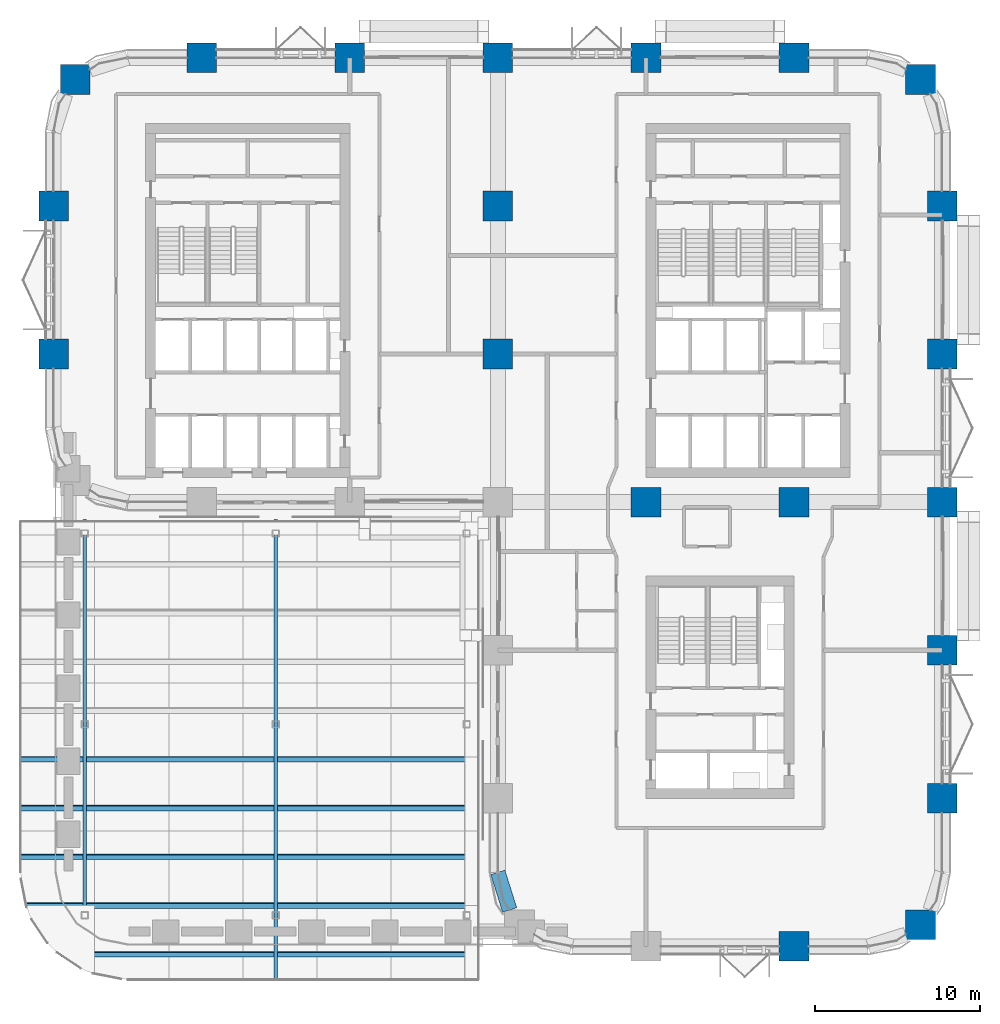
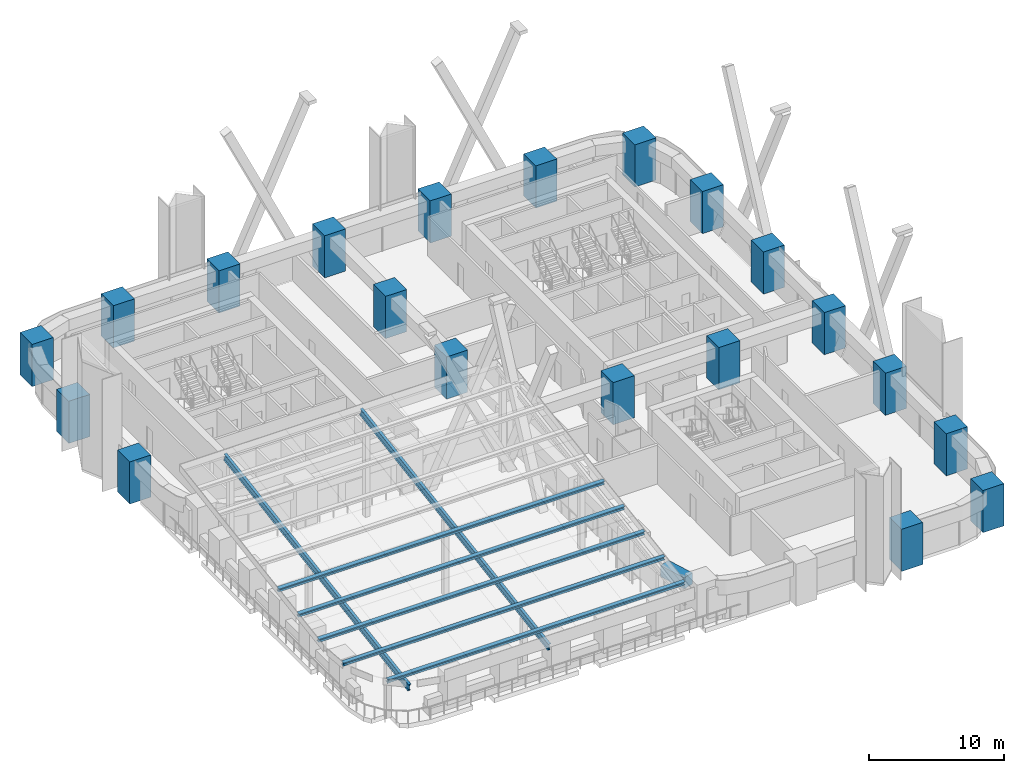
# One storey, part 2 of 22: 20 columns, 7 members, 1 beam.
"""IFC4 building model written with IfcOpenShell, lengths in metres."""

from ifc_helpers import new_model, si_unit, direction, frame, origin, origin_2d, place, context, subcontext, project, spatial, rectangle, i_section, extrude, material, material_profile, profile_set, type_object, element, save


model = new_model("IFC4")

# Units and contexts
model_context = context("Model", 3, precision=1e-05, world=origin(), true_north=direction((0.0, 1.0)))
body_context = subcontext(model_context, "Body", "Model", "MODEL_VIEW")
ifc_project = project(units=[si_unit("LENGTHUNIT", "METRE"), si_unit("AREAUNIT", "SQUARE_METRE"), si_unit("VOLUMEUNIT", "CUBIC_METRE"), si_unit("PLANEANGLEUNIT", "RADIAN"), si_unit("MASSUNIT", "GRAM", prefix="KILO")], contexts=[model_context])

# Site, building, storey
site_placement = place(None, origin())
site = spatial("IfcSite", under=ifc_project, at=site_placement, CompositionType="ELEMENT")
building_placement = place(site_placement, origin())
building = spatial("IfcBuilding", under=site, at=building_placement, Name="Tessera Arch", CompositionType="ELEMENT")
storey_placement = place(building_placement, frame((0.0, 0.0, 77.800048828125)))
storey = spatial("IfcBuildingStorey", under=building, at=storey_placement, Name="L17", CompositionType="ELEMENT", Elevation=77.800048828125)

# Columns
ifc_material_1 = material(Name="Concrete C80/95", Category="concrete")
ifc_material_profile_1 = material_profile(ifc_material_1, rectangle(XDim=1.800048828125, YDim=1.800048828125, at=origin_2d()), Name="RC column 1800 x 1800 Concrete C80/95")
ifc_profile_set_1 = profile_set([ifc_material_profile_1], Name="Concrete C80/95")
column_type = type_object("IfcColumnType", Name="RC column 1800 x 1800 Concrete C80/95", PredefinedType="COLUMN", material=ifc_profile_set_1)
for number, where, z_axis, x_axis, name in (
    (1, (0.0, 36.0, 0.0), (0.0, 0.0, 1.0), (1.0, 0.0, 0.0), "Column C1E L17"),
    (2, (0.0, 45.0, 0.0), (0.0, 0.0, 1.0), (1.0, 0.0, 0.0), "Column C1F L17"),
    (3, (1.318115234375, 52.681884765625, 0.0), (0.0, 0.0, 1.0), (1.0, 0.0, 0.0), "Column C1G L17"),
    (4, (9.0, 54.0, 0.0), (0.0, 0.0, 1.0), (1.0, 0.0, 0.0), "Column C2G L17"),
    (5, (18.0, 54.0, 0.0), (0.0, 0.0, 1.0), (1.0, 0.0, 0.0), "Column C3G L17"),
    (6, (27.0, 36.0, 0.0), (0.0, 0.0, 1.0), (1.0, 0.0, 0.0), "Column C4E L17"),
    (7, (27.0, 45.0, 0.0), (0.0, 0.0, 1.0), (1.0, 0.0, 0.0), "Column C4F L17"),
    (8, (27.0, 54.0, 0.0), (0.0, 0.0, 1.0), (1.0, 0.0, 0.0), "Column C4G L17"),
    (9, (36.0, 27.0, 0.0), (0.0, 0.0, 1.0), (1.0, 0.0, 0.0), "Column C5D L17"),
    (10, (36.0, 54.0, 0.0), (0.0, 0.0, 1.0), (1.0, 0.0, 0.0), "Column C5G L17"),
    (11, (45.0, 0.0, 0.0), (0.0, 0.0, 1.0), (1.0, 0.0, 0.0), "Column C6A L17"),
    (12, (45.0, 27.0, 0.0), (0.0, 0.0, 1.0), (1.0, 0.0, 0.0), "Column C6D L17"),
    (13, (45.0, 54.0, 0.0), (0.0, 0.0, 1.0), (1.0, 0.0, 0.0), "Column C6G L17"),
    (14, (52.681884765625, 1.318115234375, 0.0), (0.0, 0.0, 1.0), (1.0, 0.0, 0.0), "Column C7A L17"),
    (15, (54.0, 9.0, 0.0), (0.0, 0.0, 1.0), (1.0, 0.0, 0.0), "Column C7B L17"),
    (16, (54.0, 18.0, 0.0), (0.0, 0.0, 1.0), (1.0, 0.0, 0.0), "Column C7C L17"),
    (17, (54.0, 27.0, 0.0), (0.0, 0.0, 1.0), (1.0, 0.0, 0.0), "Column C7D L17"),
    (18, (54.0, 36.0, 0.0), (0.0, 0.0, 1.0), (1.0, 0.0, 0.0), "Column C7E L17"),
    (19, (54.0, 45.0, 0.0), (0.0, 0.0, 1.0), (1.0, 0.0, 0.0), "Column C7F L17"),
    (20, (52.681884765625, 52.681884765625, 0.0), (0.0, 0.0, 1.0), (1.0, 0.0, 0.0), "Column C7G L17"),
):
    element("IfcColumn", number, at=place(storey_placement, frame(where, z_axis=z_axis, x_axis=x_axis)), inside=storey, type_object=column_type, Name=name, PredefinedType="COLUMN", context=body_context, shape_type="SweptSolid", body=[
        extrude(rectangle(XDim=1.800048828125, YDim=1.800048828125, at=origin_2d()), origin(), (0.0, 0.0, 1.0), 3.800048828125),
    ])

# Members
ifc_material_2 = material(Name="Steel A992 Gr50", Category="steel")
ifc_material_profile_2 = material_profile(ifc_material_2, i_section(OverallWidth=0.3046875, OverallDepth=0.307861328125, WebThickness=0.010009765625, FlangeThickness=0.015380859375, at=origin_2d()), Name="W12x65")
ifc_profile_set_2 = profile_set([ifc_material_profile_2], Name="Steel A992 Gr50")
member_type_1 = type_object("IfcMemberType", Name="Canopy purlin W12x65", PredefinedType="PURLIN", material=ifc_profile_set_2)
member_1_placement = place(storey_placement, frame((0.466552734375, -0.48193359375, 5.20361328125), z_axis=(1.0, 0.0, 0.0), x_axis=(0.0, 0.987688340595, 0.15643446504)))
element("IfcMember", 21, at=member_1_placement, inside=storey, type_object=member_type_1, Name="Canopy purlin T4-1", PredefinedType="PURLIN", context=body_context, shape_type="SweptSolid", body=[
    extrude(i_section(OverallWidth=0.3046875, OverallDepth=0.307861328125, WebThickness=0.010009765625, FlangeThickness=0.015380859375, at=origin_2d()), origin(), (0.0, 0.0, 1.0), 25.33349609375),
])
member_2_placement = place(storey_placement, frame((-1.63037109375, 2.481201171875, 5.6728515625), z_axis=(1.0, 0.0, 0.0), x_axis=(0.0, 0.987688340595, 0.15643446504)))
element("IfcMember", 22, at=member_2_placement, inside=storey, type_object=member_type_1, Name="Canopy purlin T4-2", PredefinedType="PURLIN", context=body_context, shape_type="SweptSolid", body=[
    extrude(i_section(OverallWidth=0.3046875, OverallDepth=0.307861328125, WebThickness=0.010009765625, FlangeThickness=0.015380859375, at=origin_2d()), origin(), (0.0, 0.0, 1.0), 27.430419921875),
])
for number, where, z_axis, x_axis, name in (
    (23, (-2.0, 5.4443359375, 6.14208984375), (1.0, 0.0, 0.0), (0.0, 0.987688340595, 0.15643446504), "Canopy purlin T4-3"),
    (24, (-2.0, 8.4072265625, 6.611572265625), (1.0, 0.0, 0.0), (0.0, 0.987688340595, 0.15643446504), "Canopy purlin T4-4"),
    (25, (-2.0, 11.370361328125, 7.080810546875), (1.0, 0.0, 0.0), (0.0, 0.987688340595, 0.15643446504), "Canopy purlin T4-5"),
):
    element("IfcMember", number, at=place(storey_placement, frame(where, z_axis=z_axis, x_axis=x_axis)), inside=storey, type_object=member_type_1, Name=name, PredefinedType="PURLIN", context=body_context, shape_type="SweptSolid", body=[
        extrude(i_section(OverallWidth=0.3046875, OverallDepth=0.307861328125, WebThickness=0.010009765625, FlangeThickness=0.015380859375, at=origin_2d()), origin(), (0.0, 0.0, 1.0), 27.800048828125),
    ])
ifc_material_3 = material(Name="Steel A992 Gr50", Category="steel")
ifc_material_profile_3 = material_profile(ifc_material_3, i_section(OverallWidth=0.230224609375, OverallDepth=0.617431640625, WebThickness=0.01318359375, FlangeThickness=0.022216796875, at=origin_2d()), Name="W24x94")
ifc_profile_set_3 = profile_set([ifc_material_profile_3], Name="Steel A992 Gr50")
member_type_2 = type_object("IfcMemberType", Name="Canopy rib W24x94", PredefinedType="RAFTER", material=ifc_profile_set_3)
member_3_placement = place(storey_placement, frame((1.89990234375, -1.343994140625, 4.5986328125), z_axis=(0.0, 0.98768852967, 0.156433271263), x_axis=(-1.0, 0.0, 0.0)))
element("IfcMember", 26, at=member_3_placement, inside=storey, type_object=member_type_2, Name="Canopy rib T4-1", PredefinedType="RAFTER", context=body_context, shape_type="SweptSolid", body=[
    extrude(i_section(OverallWidth=0.230224609375, OverallDepth=0.617431640625, WebThickness=0.01318359375, FlangeThickness=0.022216796875, at=origin_2d()), origin(), (0.0, 0.0, 1.0), 27.592529296875),
])
member_4_placement = place(storey_placement, frame((13.5, -1.89111328125, 4.511962890625), z_axis=(0.0, 0.987688444909, 0.156433806426), x_axis=(-1.0, 0.0, 0.0)))
element("IfcMember", 27, at=member_4_placement, inside=storey, type_object=member_type_2, Name="Canopy rib T4-2", PredefinedType="RAFTER", context=body_context, shape_type="SweptSolid", body=[
    extrude(i_section(OverallWidth=0.230224609375, OverallDepth=0.617431640625, WebThickness=0.01318359375, FlangeThickness=0.022216796875, at=origin_2d()), origin(), (0.0, 0.0, 1.0), 28.146484375),
])

# Beam
ifc_material_4 = material(Name="Concrete C80/95", Category="concrete")
ifc_material_profile_4 = material_profile(ifc_material_4, rectangle(XDim=0.89990234375, YDim=1.0, at=origin_2d()), Name="RC spandrel beam 900 x 1000 Concrete C80/95")
ifc_profile_set_4 = profile_set([ifc_material_profile_4], Name="Concrete C80/95")
beam_type = type_object("IfcBeamType", Name="RC spandrel beam 900 x 1000 Concrete C80/95", PredefinedType="BEAM", material=ifc_profile_set_4)
beam_placement = place(storey_placement, frame((27.0, 4.5, 3.0), z_axis=(0.299675309057, -0.954041251279, 0.0), x_axis=(0.954041251279, 0.299675309057, 0.0)))
element("IfcBeam", 28, at=beam_placement, inside=storey, type_object=beam_type, Name="Spandrel beam L17 W27.0/2.2", PredefinedType="BEAM", context=body_context, shape_type="SweptSolid", body=[
    extrude(rectangle(XDim=0.89990234375, YDim=1.0, at=origin_2d()), origin(), (0.0, 0.0, 1.0), 2.391845703125),
])

save(model, "model.ifc")
